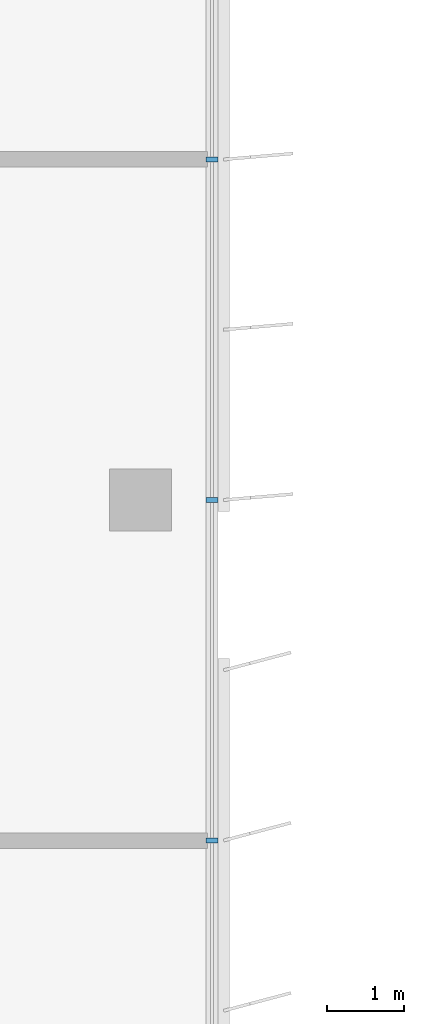
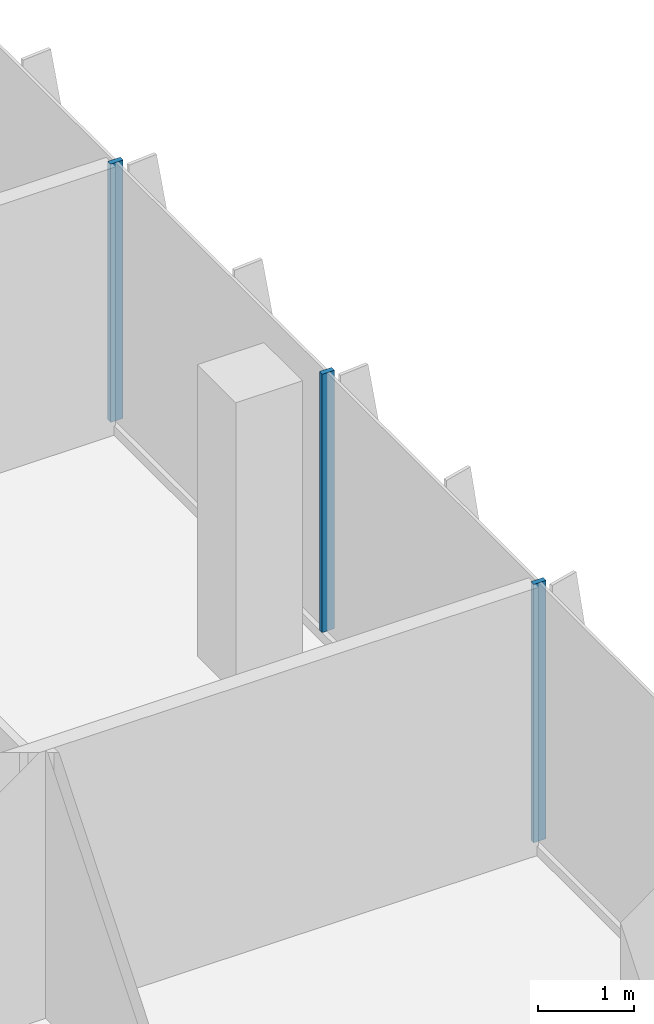
# One storey, part 4 of 15: 3 members, 1 element without a shape of its own.
"""IFC4 building model written with IfcOpenShell, lengths in metres."""

import ifcopenshell
import ifcopenshell.guid

model = None  # the IFC model being written
_history = None  # IfcOwnerHistory: only IFC2X3 demands one
_inside = {}  # id of a spatial element -> (the spatial element, [elements in it])
_under = {}  # id of a project, library or spatial element -> (it, [spatial elements below it])
_declared = {}  # id of a project -> (the project, [libraries it declares])
_typed = {}  # id of a type object -> (the type object, [elements of that type])
_made_of = {}  # id of a material, layer set ... -> (it, [elements and type objects made of it])


def new_model(schema):
    """Start an empty IFC model of exactly this schema.

    Asked for "IFC4X3", IfcOpenShell would pick the latest addendum, in which some entities
    have other attributes; the version numbers below select the first issue.
    IFC2X3 requires an IfcOwnerHistory on every rooted entity: one is made here for all.
    """
    global model, _history
    if schema == "IFC4X3":
        model = ifcopenshell.file(schema_version=(4, 3, 0, 0))
    else:
        model = ifcopenshell.file(schema=schema)
    _inside.clear()
    _under.clear()
    _declared.clear()
    _typed.clear()
    _made_of.clear()
    _history = None
    if model.schema == "IFC2X3":
        org = make("IfcOrganization", Name="unknown")
        user = make(
            "IfcPersonAndOrganization",
            ThePerson=make("IfcPerson", FamilyName="unknown"),
            TheOrganization=org,
        )
        app = make(
            "IfcApplication",
            ApplicationDeveloper=org,
            Version="unknown",
            ApplicationFullName="unknown",
            ApplicationIdentifier="unknown",
        )
        _history = make(
            "IfcOwnerHistory",
            OwningUser=user,
            OwningApplication=app,
            ChangeAction="ADDED",
            CreationDate=0,
        )
    return model


def make(cls, **values):
    """One entity of the class cls with the attributes given. An attribute that is None is left unset."""
    return model.create_entity(
        cls, **{name: value for name, value in values.items() if value is not None}
    )


def rooted(cls, **values):
    """An entity with a GlobalId (a new one), such as an element, a storey or a relation."""
    return make(cls, GlobalId=ifcopenshell.guid.new(), OwnerHistory=_history, **values)


def si_unit(unit_type, name, prefix=None):
    """IfcSIUnit, for example si_unit("LENGTHUNIT", "METRE", prefix="MILLI")."""
    return make("IfcSIUnit", UnitType=unit_type, Prefix=prefix, Name=name)


def assignment(units):
    """IfcUnitAssignment: the units of a project."""
    return None if units is None else make("IfcUnitAssignment", Units=units)


def point(xyz):
    """IfcCartesianPoint."""
    return None if xyz is None else make("IfcCartesianPoint", Coordinates=xyz)


def direction(xyz):
    """IfcDirection."""
    return None if xyz is None else make("IfcDirection", DirectionRatios=xyz)


def frame(location, z_axis=None, x_axis=None):
    """IfcAxis2Placement3D, a coordinate frame: its origin and axes. An axis left out is left unset."""
    return make(
        "IfcAxis2Placement3D",
        Location=point(location),
        Axis=direction(z_axis),
        RefDirection=direction(x_axis),
    )


def frame_2d(location, x_axis=None):
    """IfcAxis2Placement2D, a coordinate frame in the plane: its origin and x axis."""
    return make(
        "IfcAxis2Placement2D", Location=point(location), RefDirection=direction(x_axis)
    )


def origin():
    """The frame at (0, 0, 0) with its axes left unset."""
    return frame((0.0, 0.0, 0.0))


def origin_2d():
    """The frame at (0, 0) in the plane with its x axis left unset."""
    return frame_2d((0.0, 0.0))


def place(relative_to, where):
    """IfcLocalPlacement: puts the frame where relative to a parent placement (None: the world)."""
    return make(
        "IfcLocalPlacement", PlacementRelTo=relative_to, RelativePlacement=where
    )


def context(
    kind, dimensions, precision=None, world=None, true_north=None, identifier=None
):
    """IfcGeometricRepresentationContext, for example the 3D "Model" context."""
    return make(
        "IfcGeometricRepresentationContext",
        ContextIdentifier=identifier,
        ContextType=kind,
        CoordinateSpaceDimension=dimensions,
        Precision=precision,
        WorldCoordinateSystem=world,
        TrueNorth=true_north,
    )


def subcontext(parent, identifier, kind, view, scale=None):
    """IfcGeometricRepresentationSubContext, for example "Body" below "Model"."""
    return make(
        "IfcGeometricRepresentationSubContext",
        ContextIdentifier=identifier,
        ContextType=kind,
        ParentContext=parent,
        TargetScale=scale,
        TargetView=view,
    )


def project(units=None, contexts=None):
    """IfcProject with its units and contexts."""
    return rooted(
        "IfcProject",
        Name="project",
        RepresentationContexts=contexts,
        UnitsInContext=assignment(units),
    )


def spatial(cls, under=None, at=None, **own):
    """A site, building, storey or space (cls), placed at a placement, below another one or the project."""
    s = rooted(cls, ObjectPlacement=at, **own)
    if under is not None:
        _under.setdefault(under.id(), (under, []))[1].append(s)
    return s


def profile(cls, at=None, kind="AREA", **sizes):
    """A parametric profile (cls). Its sizes go by their IFC names, for example OverallWidth=200.0."""
    return make(cls, ProfileType=kind, Position=at, **sizes)


def rectangle(**sizes):
    """IfcRectangleProfileDef."""
    return profile("IfcRectangleProfileDef", **sizes)


def extrude(swept, where, along, depth):
    """IfcExtrudedAreaSolid: the profile swept, set in the frame where, extruded along a direction by depth."""
    return make(
        "IfcExtrudedAreaSolid",
        SweptArea=swept,
        Position=where,
        ExtrudedDirection=direction(along),
        Depth=depth,
    )


def shape(context_of_items, identifier, shape_type, items):
    """IfcShapeRepresentation: the items that make up one representation, for example the "Body"."""
    return make(
        "IfcShapeRepresentation",
        ContextOfItems=context_of_items,
        RepresentationIdentifier=identifier,
        RepresentationType=shape_type,
        Items=items,
    )


def source(mapping_origin, context_of_items, identifier, shape_type, items):
    """IfcRepresentationMap: a shape defined once, which mapped items show again and again."""
    return make(
        "IfcRepresentationMap",
        MappingOrigin=mapping_origin,
        MappedRepresentation=shape(context_of_items, identifier, shape_type, items),
    )


def transform(
    local_origin,
    x_axis=None,
    y_axis=None,
    z_axis=None,
    scale=None,
    scale2=None,
    scale3=None,
    uniform=True,
):
    """IfcCartesianTransformationOperator3D, or its non-uniform kind. x_axis, y_axis, z_axis: its Axis1, 2, 3."""
    if uniform:
        return make(
            "IfcCartesianTransformationOperator3D",
            Axis1=direction(x_axis),
            Axis2=direction(y_axis),
            LocalOrigin=point(local_origin),
            Scale=scale,
            Axis3=direction(z_axis),
        )
    return make(
        "IfcCartesianTransformationOperator3DnonUniform",
        Axis1=direction(x_axis),
        Axis2=direction(y_axis),
        LocalOrigin=point(local_origin),
        Scale=scale,
        Axis3=direction(z_axis),
        Scale2=scale2,
        Scale3=scale3,
    )


def mapped(mapping_source, mapping_target):
    """IfcMappedItem: shows the shape of a source again, moved by a transform."""
    return make(
        "IfcMappedItem", MappingSource=mapping_source, MappingTarget=mapping_target
    )


def material(Name=None, Category=None):
    """IfcMaterial."""
    return make("IfcMaterial", Name=Name, Category=Category)


def material_profile(
    of_material, cross_section, Name=None, Category=None, Priority=None
):
    """IfcMaterialProfile: a cross section and its material."""
    return make(
        "IfcMaterialProfile",
        Name=Name,
        Material=of_material,
        Profile=cross_section,
        Priority=Priority,
        Category=Category,
    )


def profile_set(profiles, Name=None, composite=None):
    """IfcMaterialProfileSet."""
    return make(
        "IfcMaterialProfileSet",
        Name=Name,
        MaterialProfiles=profiles,
        CompositeProfile=composite,
    )


def made_of(thing, what):
    """Note that an element or type object is made of a material, layer set ...; save() writes the relation."""
    if what is not None:
        _made_of.setdefault(what.id(), (what, []))[1].append(thing)
    return thing


def type_object(cls, material=None, **own):
    """A type object (cls), such as IfcWallType, which elements share."""
    return made_of(rooted(cls, **own), material)


def element(
    cls,
    number,
    at=None,
    inside=None,
    cuts=None,
    type_object=None,
    material=None,
    context=None,
    identifier="Body",
    shape_type=None,
    held_by="IfcProductDefinitionShape",
    body=None,
    shapes=None,
    **own,
):
    """One element of the class cls, such as IfcWall. Its Tag is "e" and its number.

    at: its placement. inside: the storey or other place that contains it. cuts: it is an
    opening in that element (IfcRelVoidsElement). A single representation is given by context,
    identifier, shape_type and body (its items); several are given by shapes. held_by: the class
    of the entity that holds the representations. save() writes the other relations.
    """
    e = rooted(cls, Tag="e%d" % number, ObjectPlacement=at, **own)
    if body is not None:
        shapes = [shape(context, identifier, shape_type, body)]
    if shapes is not None:
        e.Representation = make(held_by, Representations=shapes)
    if inside is not None:
        _inside.setdefault(inside.id(), (inside, []))[1].append(e)
    if cuts is not None:
        rooted(
            "IfcRelVoidsElement", RelatingBuildingElement=cuts, RelatedOpeningElement=e
        )
    if type_object is not None:
        _typed.setdefault(type_object.id(), (type_object, []))[1].append(e)
    return made_of(e, material)


def aggregate(whole, parts):
    """IfcRelAggregates: a whole, such as a stair, and the parts it consists of."""
    return rooted("IfcRelAggregates", RelatingObject=whole, RelatedObjects=parts)


def save(model, path):
    """Write the relations noted so far, then the file.

    IfcRelAggregates (storeys below a building ...), IfcRelContainedInSpatialStructure (elements
    in a storey), IfcRelDefinesByType, IfcRelAssociatesMaterial and IfcRelDeclares: one each for
    every whole, place, type object, material and project.
    """
    for whole, parts in _under.values():
        aggregate(whole, parts)
    for where, things in _inside.values():
        rooted(
            "IfcRelContainedInSpatialStructure",
            RelatedElements=things,
            RelatingStructure=where,
        )
    for kind, things in _typed.values():
        rooted("IfcRelDefinesByType", RelatedObjects=things, RelatingType=kind)
    for what, things in _made_of.values():
        rooted("IfcRelAssociatesMaterial", RelatedObjects=things, RelatingMaterial=what)
    for by, libraries in _declared.values():
        rooted("IfcRelDeclares", RelatingContext=by, RelatedDefinitions=libraries)
    model.write(path)


model = new_model("IFC4")

# Units and contexts
model_context = context("Model", 3, precision=1e-05, world=origin(), true_north=direction((0.0, 1.0)))
body_context = subcontext(model_context, "Body", "Model", "MODEL_VIEW")
ifc_project = project(units=[si_unit("LENGTHUNIT", "METRE"), si_unit("AREAUNIT", "SQUARE_METRE"), si_unit("VOLUMEUNIT", "CUBIC_METRE"), si_unit("PLANEANGLEUNIT", "RADIAN"), si_unit("MASSUNIT", "GRAM", prefix="KILO")], contexts=[model_context])

# Site, building, storey
site_placement = place(None, origin())
site = spatial("IfcSite", under=ifc_project, at=site_placement, CompositionType="ELEMENT")
building_placement = place(site_placement, origin())
building = spatial("IfcBuilding", under=site, at=building_placement, Name="Kemantara Hotel Tower", CompositionType="ELEMENT")
storey_placement = place(building_placement, frame((0.0, 0.0, 294.39990234375)))
storey = spatial("IfcBuildingStorey", under=building, at=storey_placement, Name="L74", CompositionType="ELEMENT", Elevation=294.39990234375)

# Curtain wall, members
ifc_material_1 = material(Name="Low-E tinted double insulated glass 36 mm", Category="glass")
curtain_wall_type = type_object("IfcCurtainWallType", Name="TOWER CURTAIN WALL, FRONT FACES", PredefinedType="USERDEFINED", material=ifc_material_1)
curtain_wall_placement = place(storey_placement, origin())
curtain_wall = element("IfcCurtainWall", 1, at=curtain_wall_placement, inside=storey, type_object=curtain_wall_type, Name="CW4 L74 T4-R15-1", ObjectType="TOWER CURTAIN WALL, FRONT FACES", PredefinedType="USERDEFINED")
ifc_material_2 = material(Name="Aluminium 6063-T6 bronze anodised", Category="aluminium")
ifc_material_profile = material_profile(ifc_material_2, rectangle(XDim=0.14990234375, YDim=0.06005859375, at=origin_2d()), Name="TOWER CURTAIN WALL, FRONT FACES MULLION")
ifc_profile_set = profile_set([ifc_material_profile], Name="Aluminium 6063-T6 bronze anodised")
member_type = type_object("IfcMemberType", Name="TOWER CURTAIN WALL, FRONT FACES MULLION", PredefinedType="MULLION", material=ifc_profile_set)
shared_shape = source(origin(), body_context, "Body", "SweptSolid", [
    extrude(rectangle(XDim=0.14990234375, YDim=0.06005859375, at=origin_2d()), origin(), (0.0, 0.0, 1.0), 3.280029296875),
])
member_1_placement = place(storey_placement, frame((21.925048828125, 31.800048828125, 0.1201171875), z_axis=(0.0, 0.0, 1.0), x_axis=(-1.0, 0.0, 0.0)))
member_1 = element("IfcMember", 2, at=member_1_placement, type_object=member_type, Name="CW4 mullion T4-R15-1.3", PredefinedType="MULLION", context=body_context, shape_type="MappedRepresentation", body=[
    mapped(shared_shape, transform((0.0, 0.0, 0.0))),
])
member_2_placement = place(storey_placement, frame((21.925048828125, 36.199951171875, 0.1201171875), z_axis=(0.0, 0.0, 1.0), x_axis=(-1.0, 0.0, 0.0)))
member_2 = element("IfcMember", 3, at=member_2_placement, type_object=member_type, Name="CW4 mullion T4-R15-1.4", PredefinedType="MULLION", context=body_context, shape_type="MappedRepresentation", body=[
    mapped(shared_shape, transform((0.0, 0.0, 0.0))),
])
member_3_placement = place(storey_placement, frame((21.925048828125, 40.60009765625, 0.1201171875), z_axis=(0.0, 0.0, 1.0), x_axis=(-1.0, 0.0, 0.0)))
member_3 = element("IfcMember", 4, at=member_3_placement, type_object=member_type, Name="CW4 mullion T4-R15-1.5", PredefinedType="MULLION", context=body_context, shape_type="MappedRepresentation", body=[
    mapped(shared_shape, transform((0.0, 0.0, 0.0))),
])
aggregate(curtain_wall, [member_1, member_2, member_3])

save(model, "model.ifc")
